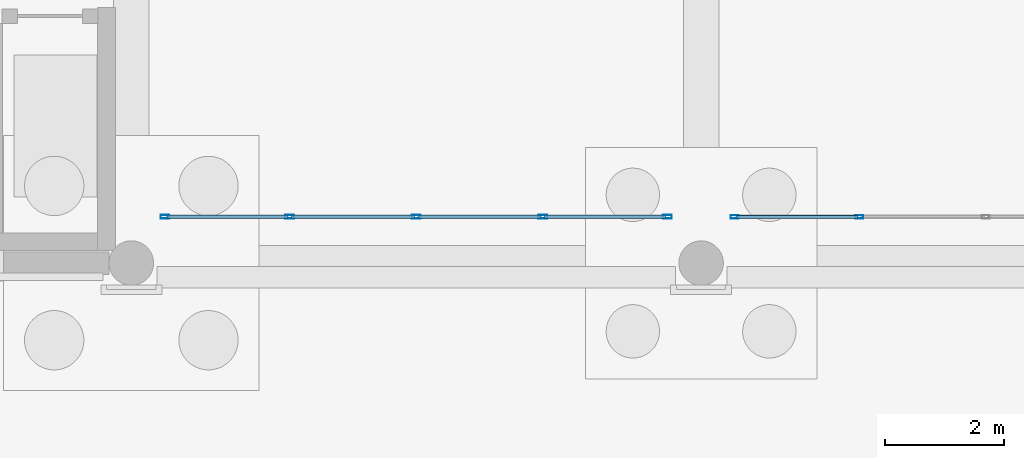
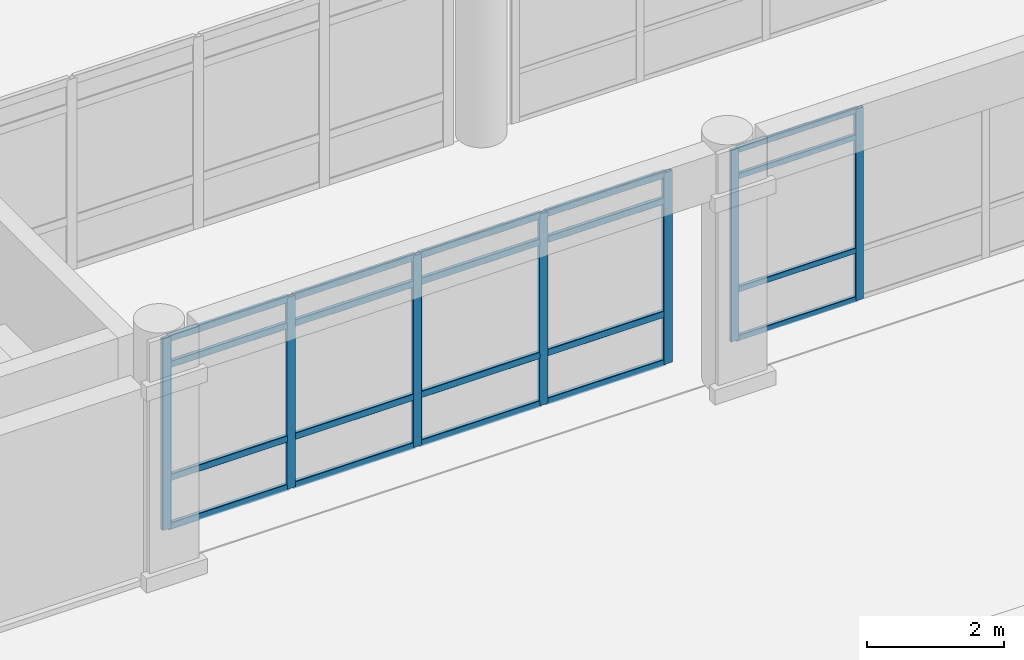
# One storey, part 95 of 196: 27 members, 2 elements without a shape of their own.
"""IFC4 building model written with IfcOpenShell, lengths in metres."""

from ifc_helpers import new_model, si_unit, direction, frame, origin, origin_2d, place, context, subcontext, project, spatial, hollow_rectangle, extrude, material, layer, layer_set, material_profile, profile_set, type_object, element, aggregate, save


model = new_model("IFC4")

# Units and contexts
model_context = context("Model", 3, precision=1e-05, world=origin(), true_north=direction((0.0, 1.0)))
body_context = subcontext(model_context, "Body", "Model", "MODEL_VIEW")
ifc_project = project(units=[si_unit("LENGTHUNIT", "METRE"), si_unit("AREAUNIT", "SQUARE_METRE"), si_unit("VOLUMEUNIT", "CUBIC_METRE"), si_unit("PLANEANGLEUNIT", "RADIAN"), si_unit("MASSUNIT", "GRAM", prefix="KILO")], contexts=[model_context])

# Site, building, storey
site_placement = place(None, origin())
site = spatial("IfcSite", under=ifc_project, at=site_placement, CompositionType="ELEMENT")
building_placement = place(site_placement, origin())
building = spatial("IfcBuilding", under=site, at=building_placement, Name="Asteropetra Specialist Clinic", CompositionType="ELEMENT")
storey_placement = place(building_placement, origin())
storey = spatial("IfcBuildingStorey", under=building, at=storey_placement, Name="L00", CompositionType="ELEMENT", Elevation=0.0)

# Curtain wall, members
ifc_material_1 = material(Name="Aluminium and low-E glass", Category="aluminium")
ifc_layer_1 = layer(ifc_material_1, 0.179931640625)
ifc_layer_set_1 = layer_set([ifc_layer_1], Name="Aluminium and low-E glass")
curtain_wall_type_1 = type_object("IfcCurtainWallType", Name="CW-SYS-10", PredefinedType="USERDEFINED", material=ifc_layer_set_1)
curtain_wall_1_placement = place(storey_placement, origin())
curtain_wall_1 = element("IfcCurtainWall", 1, at=curtain_wall_1_placement, inside=storey, type_object=curtain_wall_type_1, Name="Curtain Wall CW-185", ObjectType="STICK GLAZED COLONNADE", PredefinedType="USERDEFINED")
ifc_material_2 = material(Name="Aluminium 6063-T6", Category="aluminium")
ifc_material_profile_1 = material_profile(ifc_material_2, hollow_rectangle(XDim=0.06005859375, YDim=0.135009765625, WallThickness=0.00341796875, InnerFilletRadius=0.00341796875, OuterFilletRadius=0.007080078125, at=origin_2d()), Name="MUL 135x60x3.5")
ifc_profile_set_1 = profile_set([ifc_material_profile_1], Name="Aluminium 6063-T6")
member_type_1 = type_object("IfcMemberType", Name="CWM-135x60", PredefinedType="MULLION", material=ifc_profile_set_1)
member_1_placement = place(storey_placement, frame((58.1650390625, 70.3798828125, 0.0), z_axis=(0.0, 0.0, 1.0), x_axis=(0.0, 1.0, 0.0)))
member_1 = element("IfcMember", 2, at=member_1_placement, type_object=member_type_1, Name="CW-185 mullion 1", PredefinedType="MULLION", context=body_context, shape_type="SweptSolid", body=[
    extrude(hollow_rectangle(XDim=0.06005859375, YDim=0.135009765625, WallThickness=0.00341796875, InnerFilletRadius=0.00341796875, OuterFilletRadius=0.007080078125, at=origin_2d()), origin(), (0.0, 0.0, 1.0), 3.419921875),
])
member_2_placement = place(storey_placement, frame((60.267578125, 70.3798828125, 0.0), z_axis=(0.0, 0.0, 1.0), x_axis=(0.0, 1.0, 0.0)))
member_2 = element("IfcMember", 3, at=member_2_placement, type_object=member_type_1, Name="CW-185 mullion 2", PredefinedType="MULLION", context=body_context, shape_type="SweptSolid", body=[
    extrude(hollow_rectangle(XDim=0.06005859375, YDim=0.135009765625, WallThickness=0.00341796875, InnerFilletRadius=0.00341796875, OuterFilletRadius=0.007080078125, at=origin_2d()), origin(), (0.0, 0.0, 1.0), 3.419921875),
])

ifc_material_3 = material(Name="Aluminium and low-E glass", Category="aluminium")
ifc_layer_2 = layer(ifc_material_3, 0.135009765625)
ifc_layer_set_2 = layer_set([ifc_layer_2], Name="Aluminium and low-E glass")
curtain_wall_type_2 = type_object("IfcCurtainWallType", Name="CW-SYS-09", PredefinedType="USERDEFINED", material=ifc_layer_set_2)
curtain_wall_2_placement = place(storey_placement, origin())
curtain_wall_2 = element("IfcCurtainWall", 4, at=curtain_wall_2_placement, inside=storey, type_object=curtain_wall_type_2, Name="Curtain Wall CW-184", ObjectType="STICK GLAZED COLONNADE", PredefinedType="USERDEFINED")
ifc_material_4 = material(Name="Aluminium 6063-T6", Category="aluminium")
ifc_material_profile_2 = material_profile(ifc_material_4, hollow_rectangle(XDim=0.06494140625, YDim=0.14990234375, WallThickness=0.00390625, InnerFilletRadius=0.00390625, OuterFilletRadius=0.008056640625, at=origin_2d()), Name="MUL 150x65x4.0")
ifc_profile_set_2 = profile_set([ifc_material_profile_2], Name="Aluminium 6063-T6")
member_type_2 = type_object("IfcMemberType", Name="CWM-150x65", PredefinedType="MULLION", material=ifc_profile_set_2)
member_3_placement = place(storey_placement, frame((48.5673828125, 70.3798828125, 0.0), z_axis=(0.0, 0.0, 1.0), x_axis=(0.0, 1.0, 0.0)))
member_3 = element("IfcMember", 5, at=member_3_placement, type_object=member_type_2, Name="CW-184 mullion 1", PredefinedType="MULLION", context=body_context, shape_type="SweptSolid", body=[
    extrude(hollow_rectangle(XDim=0.06494140625, YDim=0.14990234375, WallThickness=0.00390625, InnerFilletRadius=0.00390625, OuterFilletRadius=0.008056640625, at=origin_2d()), origin(), (0.0, 0.0, 1.0), 3.419921875),
])
member_4_placement = place(storey_placement, frame((50.66748046875, 70.3798828125, 0.0), z_axis=(0.0, 0.0, 1.0), x_axis=(0.0, 1.0, 0.0)))
member_4 = element("IfcMember", 6, at=member_4_placement, type_object=member_type_2, Name="CW-184 mullion 2", PredefinedType="MULLION", context=body_context, shape_type="SweptSolid", body=[
    extrude(hollow_rectangle(XDim=0.06494140625, YDim=0.14990234375, WallThickness=0.00390625, InnerFilletRadius=0.00390625, OuterFilletRadius=0.008056640625, at=origin_2d()), origin(), (0.0, 0.0, 1.0), 3.419921875),
])
member_5_placement = place(storey_placement, frame((52.800048828125, 70.3798828125, 0.0), z_axis=(0.0, 0.0, 1.0), x_axis=(0.0, 1.0, 0.0)))
member_5 = element("IfcMember", 7, at=member_5_placement, type_object=member_type_2, Name="CW-184 mullion 3", PredefinedType="MULLION", context=body_context, shape_type="SweptSolid", body=[
    extrude(hollow_rectangle(XDim=0.06494140625, YDim=0.14990234375, WallThickness=0.00390625, InnerFilletRadius=0.00390625, OuterFilletRadius=0.008056640625, at=origin_2d()), origin(), (0.0, 0.0, 1.0), 3.419921875),
])
member_6_placement = place(storey_placement, frame((54.9326171875, 70.3798828125, 0.0), z_axis=(0.0, 0.0, 1.0), x_axis=(0.0, 1.0, 0.0)))
member_6 = element("IfcMember", 8, at=member_6_placement, type_object=member_type_2, Name="CW-184 mullion 4", PredefinedType="MULLION", context=body_context, shape_type="SweptSolid", body=[
    extrude(hollow_rectangle(XDim=0.06494140625, YDim=0.14990234375, WallThickness=0.00390625, InnerFilletRadius=0.00390625, OuterFilletRadius=0.008056640625, at=origin_2d()), origin(), (0.0, 0.0, 1.0), 3.419921875),
])
member_7_placement = place(storey_placement, frame((57.032470703125, 70.3798828125, 0.0), z_axis=(0.0, 0.0, 1.0), x_axis=(0.0, 1.0, 0.0)))
member_7 = element("IfcMember", 9, at=member_7_placement, type_object=member_type_2, Name="CW-184 mullion 5", PredefinedType="MULLION", context=body_context, shape_type="SweptSolid", body=[
    extrude(hollow_rectangle(XDim=0.06494140625, YDim=0.14990234375, WallThickness=0.00390625, InnerFilletRadius=0.00390625, OuterFilletRadius=0.008056640625, at=origin_2d()), origin(), (0.0, 0.0, 1.0), 3.419921875),
])

# Member
ifc_material_5 = material(Name="Aluminium 6063-T6", Category="aluminium")
ifc_material_profile_3 = material_profile(ifc_material_5, hollow_rectangle(XDim=0.06005859375, YDim=0.10009765625, WallThickness=0.00341796875, InnerFilletRadius=0.00341796875, OuterFilletRadius=0.007080078125, at=origin_2d()), Name="TRN 100x60x3.5")
ifc_profile_set_3 = profile_set([ifc_material_profile_3], Name="Aluminium 6063-T6")
member_type_3 = type_object("IfcMemberType", Name="CWT-100x60", PredefinedType="USERDEFINED", material=ifc_profile_set_3)
member_8_placement = place(storey_placement, frame((58.195068359375, 70.3798828125, 0.030029296875), z_axis=(1.0, 0.0, 0.0), x_axis=(0.0, 1.0, 0.0)))
member_8 = element("IfcMember", 10, at=member_8_placement, type_object=member_type_3, Name="CW-185 transom 1.1", ObjectType="TRANSOM", PredefinedType="USERDEFINED", context=body_context, shape_type="SweptSolid", body=[
    extrude(hollow_rectangle(XDim=0.06005859375, YDim=0.10009765625, WallThickness=0.00341796875, InnerFilletRadius=0.00341796875, OuterFilletRadius=0.007080078125, at=origin_2d()), origin(), (0.0, 0.0, 1.0), 2.04248046875),
])

member_9_placement = place(storey_placement, frame((58.195068359375, 70.3798828125, 0.89990234375), z_axis=(1.0, 0.0, 0.0), x_axis=(0.0, 1.0, 0.0)))
member_9 = element("IfcMember", 11, at=member_9_placement, type_object=member_type_3, Name="CW-185 transom 1.2", ObjectType="TRANSOM", PredefinedType="USERDEFINED", context=body_context, shape_type="SweptSolid", body=[
    extrude(hollow_rectangle(XDim=0.06005859375, YDim=0.10009765625, WallThickness=0.00341796875, InnerFilletRadius=0.00341796875, OuterFilletRadius=0.007080078125, at=origin_2d()), origin(), (0.0, 0.0, 1.0), 2.04248046875),
])

member_10_placement = place(storey_placement, frame((58.195068359375, 70.3798828125, 2.919921875), z_axis=(1.0, 0.0, 0.0), x_axis=(0.0, 1.0, 0.0)))
member_10 = element("IfcMember", 12, at=member_10_placement, type_object=member_type_3, Name="CW-185 transom 1.3", ObjectType="TRANSOM", PredefinedType="USERDEFINED", context=body_context, shape_type="SweptSolid", body=[
    extrude(hollow_rectangle(XDim=0.06005859375, YDim=0.10009765625, WallThickness=0.00341796875, InnerFilletRadius=0.00341796875, OuterFilletRadius=0.007080078125, at=origin_2d()), origin(), (0.0, 0.0, 1.0), 2.04248046875),
])

member_11_placement = place(storey_placement, frame((58.195068359375, 70.3798828125, 3.389892578125), z_axis=(1.0, 0.0, 0.0), x_axis=(0.0, 1.0, 0.0)))
member_11 = element("IfcMember", 13, at=member_11_placement, type_object=member_type_3, Name="CW-185 transom 1.4", ObjectType="TRANSOM", PredefinedType="USERDEFINED", context=body_context, shape_type="SweptSolid", body=[
    extrude(hollow_rectangle(XDim=0.06005859375, YDim=0.10009765625, WallThickness=0.00341796875, InnerFilletRadius=0.00341796875, OuterFilletRadius=0.007080078125, at=origin_2d()), origin(), (0.0, 0.0, 1.0), 2.04248046875),
])

aggregate(curtain_wall_1, [member_1, member_2, member_8, member_9, member_10, member_11])

ifc_material_6 = material(Name="Aluminium 6063-T6", Category="aluminium")
ifc_material_profile_4 = material_profile(ifc_material_6, hollow_rectangle(XDim=0.06494140625, YDim=0.1201171875, WallThickness=0.00390625, InnerFilletRadius=0.00390625, OuterFilletRadius=0.008056640625, at=origin_2d()), Name="TRN 120x65x4.0")
ifc_profile_set_4 = profile_set([ifc_material_profile_4], Name="Aluminium 6063-T6")
member_type_4 = type_object("IfcMemberType", Name="CWT-120x65", PredefinedType="USERDEFINED", material=ifc_profile_set_4)
member_12_placement = place(storey_placement, frame((48.60009765625, 70.3798828125, 0.032470703125), z_axis=(1.0, 0.0, 0.0), x_axis=(0.0, 1.0, 0.0)))
member_12 = element("IfcMember", 14, at=member_12_placement, type_object=member_type_4, Name="CW-184 transom 1.1", ObjectType="TRANSOM", PredefinedType="USERDEFINED", context=body_context, shape_type="SweptSolid", body=[
    extrude(hollow_rectangle(XDim=0.06494140625, YDim=0.1201171875, WallThickness=0.00390625, InnerFilletRadius=0.00390625, OuterFilletRadius=0.008056640625, at=origin_2d()), origin(), (0.0, 0.0, 1.0), 2.034912109375),
])

member_13_placement = place(storey_placement, frame((48.60009765625, 70.3798828125, 0.89990234375), z_axis=(1.0, 0.0, 0.0), x_axis=(0.0, 1.0, 0.0)))
member_13 = element("IfcMember", 15, at=member_13_placement, type_object=member_type_4, Name="CW-184 transom 1.2", ObjectType="TRANSOM", PredefinedType="USERDEFINED", context=body_context, shape_type="SweptSolid", body=[
    extrude(hollow_rectangle(XDim=0.06494140625, YDim=0.1201171875, WallThickness=0.00390625, InnerFilletRadius=0.00390625, OuterFilletRadius=0.008056640625, at=origin_2d()), origin(), (0.0, 0.0, 1.0), 2.034912109375),
])

member_14_placement = place(storey_placement, frame((48.60009765625, 70.3798828125, 2.919921875), z_axis=(1.0, 0.0, 0.0), x_axis=(0.0, 1.0, 0.0)))
member_14 = element("IfcMember", 16, at=member_14_placement, type_object=member_type_4, Name="CW-184 transom 1.3", ObjectType="TRANSOM", PredefinedType="USERDEFINED", context=body_context, shape_type="SweptSolid", body=[
    extrude(hollow_rectangle(XDim=0.06494140625, YDim=0.1201171875, WallThickness=0.00390625, InnerFilletRadius=0.00390625, OuterFilletRadius=0.008056640625, at=origin_2d()), origin(), (0.0, 0.0, 1.0), 2.034912109375),
])

member_15_placement = place(storey_placement, frame((48.60009765625, 70.3798828125, 3.387451171875), z_axis=(1.0, 0.0, 0.0), x_axis=(0.0, 1.0, 0.0)))
member_15 = element("IfcMember", 17, at=member_15_placement, type_object=member_type_4, Name="CW-184 transom 1.4", ObjectType="TRANSOM", PredefinedType="USERDEFINED", context=body_context, shape_type="SweptSolid", body=[
    extrude(hollow_rectangle(XDim=0.06494140625, YDim=0.1201171875, WallThickness=0.00390625, InnerFilletRadius=0.00390625, OuterFilletRadius=0.008056640625, at=origin_2d()), origin(), (0.0, 0.0, 1.0), 2.034912109375),
])

member_16_placement = place(storey_placement, frame((50.699951171875, 70.3798828125, 0.032470703125), z_axis=(1.0, 0.0, 0.0), x_axis=(0.0, 1.0, 0.0)))
member_16 = element("IfcMember", 18, at=member_16_placement, type_object=member_type_4, Name="CW-184 transom 2.1", ObjectType="TRANSOM", PredefinedType="USERDEFINED", context=body_context, shape_type="SweptSolid", body=[
    extrude(hollow_rectangle(XDim=0.06494140625, YDim=0.1201171875, WallThickness=0.00390625, InnerFilletRadius=0.00390625, OuterFilletRadius=0.008056640625, at=origin_2d()), origin(), (0.0, 0.0, 1.0), 2.067626953125),
])

member_17_placement = place(storey_placement, frame((50.699951171875, 70.3798828125, 0.89990234375), z_axis=(1.0, 0.0, 0.0), x_axis=(0.0, 1.0, 0.0)))
member_17 = element("IfcMember", 19, at=member_17_placement, type_object=member_type_4, Name="CW-184 transom 2.2", ObjectType="TRANSOM", PredefinedType="USERDEFINED", context=body_context, shape_type="SweptSolid", body=[
    extrude(hollow_rectangle(XDim=0.06494140625, YDim=0.1201171875, WallThickness=0.00390625, InnerFilletRadius=0.00390625, OuterFilletRadius=0.008056640625, at=origin_2d()), origin(), (0.0, 0.0, 1.0), 2.067626953125),
])

member_18_placement = place(storey_placement, frame((50.699951171875, 70.3798828125, 2.919921875), z_axis=(1.0, 0.0, 0.0), x_axis=(0.0, 1.0, 0.0)))
member_18 = element("IfcMember", 20, at=member_18_placement, type_object=member_type_4, Name="CW-184 transom 2.3", ObjectType="TRANSOM", PredefinedType="USERDEFINED", context=body_context, shape_type="SweptSolid", body=[
    extrude(hollow_rectangle(XDim=0.06494140625, YDim=0.1201171875, WallThickness=0.00390625, InnerFilletRadius=0.00390625, OuterFilletRadius=0.008056640625, at=origin_2d()), origin(), (0.0, 0.0, 1.0), 2.067626953125),
])

member_19_placement = place(storey_placement, frame((50.699951171875, 70.3798828125, 3.387451171875), z_axis=(1.0, 0.0, 0.0), x_axis=(0.0, 1.0, 0.0)))
member_19 = element("IfcMember", 21, at=member_19_placement, type_object=member_type_4, Name="CW-184 transom 2.4", ObjectType="TRANSOM", PredefinedType="USERDEFINED", context=body_context, shape_type="SweptSolid", body=[
    extrude(hollow_rectangle(XDim=0.06494140625, YDim=0.1201171875, WallThickness=0.00390625, InnerFilletRadius=0.00390625, OuterFilletRadius=0.008056640625, at=origin_2d()), origin(), (0.0, 0.0, 1.0), 2.067626953125),
])

member_20_placement = place(storey_placement, frame((52.83251953125, 70.3798828125, 0.032470703125), z_axis=(1.0, 0.0, 0.0), x_axis=(0.0, 1.0, 0.0)))
member_20 = element("IfcMember", 22, at=member_20_placement, type_object=member_type_4, Name="CW-184 transom 3.1", ObjectType="TRANSOM", PredefinedType="USERDEFINED", context=body_context, shape_type="SweptSolid", body=[
    extrude(hollow_rectangle(XDim=0.06494140625, YDim=0.1201171875, WallThickness=0.00390625, InnerFilletRadius=0.00390625, OuterFilletRadius=0.008056640625, at=origin_2d()), origin(), (0.0, 0.0, 1.0), 2.0673828125),
])

member_21_placement = place(storey_placement, frame((52.83251953125, 70.3798828125, 0.89990234375), z_axis=(1.0, 0.0, 0.0), x_axis=(0.0, 1.0, 0.0)))
member_21 = element("IfcMember", 23, at=member_21_placement, type_object=member_type_4, Name="CW-184 transom 3.2", ObjectType="TRANSOM", PredefinedType="USERDEFINED", context=body_context, shape_type="SweptSolid", body=[
    extrude(hollow_rectangle(XDim=0.06494140625, YDim=0.1201171875, WallThickness=0.00390625, InnerFilletRadius=0.00390625, OuterFilletRadius=0.008056640625, at=origin_2d()), origin(), (0.0, 0.0, 1.0), 2.0673828125),
])

member_22_placement = place(storey_placement, frame((52.83251953125, 70.3798828125, 2.919921875), z_axis=(1.0, 0.0, 0.0), x_axis=(0.0, 1.0, 0.0)))
member_22 = element("IfcMember", 24, at=member_22_placement, type_object=member_type_4, Name="CW-184 transom 3.3", ObjectType="TRANSOM", PredefinedType="USERDEFINED", context=body_context, shape_type="SweptSolid", body=[
    extrude(hollow_rectangle(XDim=0.06494140625, YDim=0.1201171875, WallThickness=0.00390625, InnerFilletRadius=0.00390625, OuterFilletRadius=0.008056640625, at=origin_2d()), origin(), (0.0, 0.0, 1.0), 2.0673828125),
])

member_23_placement = place(storey_placement, frame((52.83251953125, 70.3798828125, 3.387451171875), z_axis=(1.0, 0.0, 0.0), x_axis=(0.0, 1.0, 0.0)))
member_23 = element("IfcMember", 25, at=member_23_placement, type_object=member_type_4, Name="CW-184 transom 3.4", ObjectType="TRANSOM", PredefinedType="USERDEFINED", context=body_context, shape_type="SweptSolid", body=[
    extrude(hollow_rectangle(XDim=0.06494140625, YDim=0.1201171875, WallThickness=0.00390625, InnerFilletRadius=0.00390625, OuterFilletRadius=0.008056640625, at=origin_2d()), origin(), (0.0, 0.0, 1.0), 2.0673828125),
])

member_24_placement = place(storey_placement, frame((54.965087890625, 70.3798828125, 0.032470703125), z_axis=(1.0, 0.0, 0.0), x_axis=(0.0, 1.0, 0.0)))
member_24 = element("IfcMember", 26, at=member_24_placement, type_object=member_type_4, Name="CW-184 transom 4.1", ObjectType="TRANSOM", PredefinedType="USERDEFINED", context=body_context, shape_type="SweptSolid", body=[
    extrude(hollow_rectangle(XDim=0.06494140625, YDim=0.1201171875, WallThickness=0.00390625, InnerFilletRadius=0.00390625, OuterFilletRadius=0.008056640625, at=origin_2d()), origin(), (0.0, 0.0, 1.0), 2.034912109375),
])

member_25_placement = place(storey_placement, frame((54.965087890625, 70.3798828125, 0.89990234375), z_axis=(1.0, 0.0, 0.0), x_axis=(0.0, 1.0, 0.0)))
member_25 = element("IfcMember", 27, at=member_25_placement, type_object=member_type_4, Name="CW-184 transom 4.2", ObjectType="TRANSOM", PredefinedType="USERDEFINED", context=body_context, shape_type="SweptSolid", body=[
    extrude(hollow_rectangle(XDim=0.06494140625, YDim=0.1201171875, WallThickness=0.00390625, InnerFilletRadius=0.00390625, OuterFilletRadius=0.008056640625, at=origin_2d()), origin(), (0.0, 0.0, 1.0), 2.034912109375),
])

member_26_placement = place(storey_placement, frame((54.965087890625, 70.3798828125, 2.919921875), z_axis=(1.0, 0.0, 0.0), x_axis=(0.0, 1.0, 0.0)))
member_26 = element("IfcMember", 28, at=member_26_placement, type_object=member_type_4, Name="CW-184 transom 4.3", ObjectType="TRANSOM", PredefinedType="USERDEFINED", context=body_context, shape_type="SweptSolid", body=[
    extrude(hollow_rectangle(XDim=0.06494140625, YDim=0.1201171875, WallThickness=0.00390625, InnerFilletRadius=0.00390625, OuterFilletRadius=0.008056640625, at=origin_2d()), origin(), (0.0, 0.0, 1.0), 2.034912109375),
])

member_27_placement = place(storey_placement, frame((54.965087890625, 70.3798828125, 3.387451171875), z_axis=(1.0, 0.0, 0.0), x_axis=(0.0, 1.0, 0.0)))
member_27 = element("IfcMember", 29, at=member_27_placement, type_object=member_type_4, Name="CW-184 transom 4.4", ObjectType="TRANSOM", PredefinedType="USERDEFINED", context=body_context, shape_type="SweptSolid", body=[
    extrude(hollow_rectangle(XDim=0.06494140625, YDim=0.1201171875, WallThickness=0.00390625, InnerFilletRadius=0.00390625, OuterFilletRadius=0.008056640625, at=origin_2d()), origin(), (0.0, 0.0, 1.0), 2.034912109375),
])

aggregate(curtain_wall_2, [member_3, member_4, member_5, member_6, member_7, member_12, member_13, member_14, member_15, member_16, member_17, member_18, member_19, member_20, member_21, member_22, member_23, member_24, member_25, member_26, member_27])

save(model, "model.ifc")
